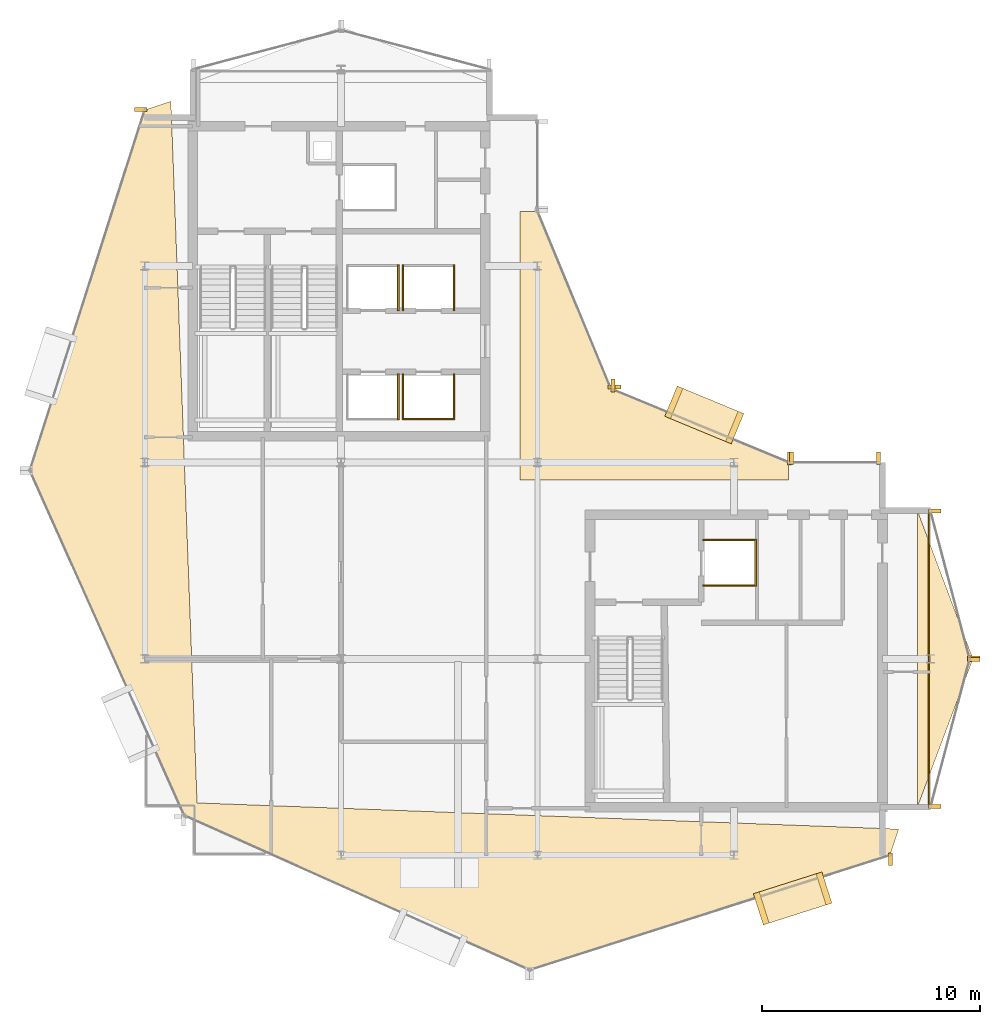
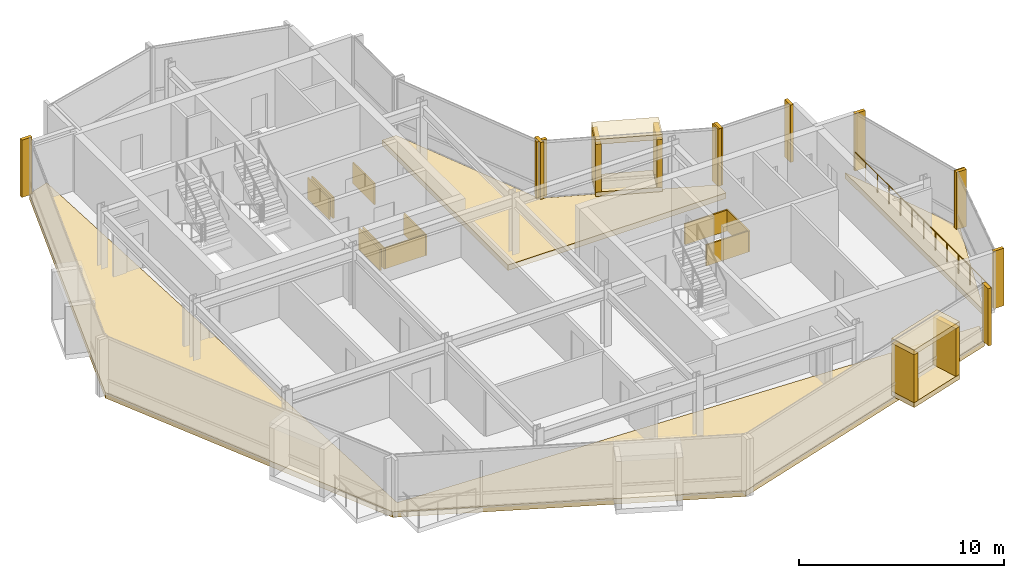
# One storey, part 18 of 19: 32 coverings, 1 railing.
"""IFC4 building model written with IfcOpenShell, lengths in metres."""

import ifcopenshell
import ifcopenshell.guid

model = None  # the IFC model being written
_history = None  # IfcOwnerHistory: only IFC2X3 demands one
_inside = {}  # id of a spatial element -> (the spatial element, [elements in it])
_under = {}  # id of a project, library or spatial element -> (it, [spatial elements below it])
_declared = {}  # id of a project -> (the project, [libraries it declares])
_typed = {}  # id of a type object -> (the type object, [elements of that type])
_made_of = {}  # id of a material, layer set ... -> (it, [elements and type objects made of it])


def new_model(schema):
    """Start an empty IFC model of exactly this schema.

    Asked for "IFC4X3", IfcOpenShell would pick the latest addendum, in which some entities
    have other attributes; the version numbers below select the first issue.
    IFC2X3 requires an IfcOwnerHistory on every rooted entity: one is made here for all.
    """
    global model, _history
    if schema == "IFC4X3":
        model = ifcopenshell.file(schema_version=(4, 3, 0, 0))
    else:
        model = ifcopenshell.file(schema=schema)
    _inside.clear()
    _under.clear()
    _declared.clear()
    _typed.clear()
    _made_of.clear()
    _history = None
    if model.schema == "IFC2X3":
        org = make("IfcOrganization", Name="unknown")
        user = make(
            "IfcPersonAndOrganization",
            ThePerson=make("IfcPerson", FamilyName="unknown"),
            TheOrganization=org,
        )
        app = make(
            "IfcApplication",
            ApplicationDeveloper=org,
            Version="unknown",
            ApplicationFullName="unknown",
            ApplicationIdentifier="unknown",
        )
        _history = make(
            "IfcOwnerHistory",
            OwningUser=user,
            OwningApplication=app,
            ChangeAction="ADDED",
            CreationDate=0,
        )
    return model


def make(cls, **values):
    """One entity of the class cls with the attributes given. An attribute that is None is left unset."""
    return model.create_entity(
        cls, **{name: value for name, value in values.items() if value is not None}
    )


def rooted(cls, **values):
    """An entity with a GlobalId (a new one), such as an element, a storey or a relation."""
    return make(cls, GlobalId=ifcopenshell.guid.new(), OwnerHistory=_history, **values)


def si_unit(unit_type, name, prefix=None):
    """IfcSIUnit, for example si_unit("LENGTHUNIT", "METRE", prefix="MILLI")."""
    return make("IfcSIUnit", UnitType=unit_type, Prefix=prefix, Name=name)


def assignment(units):
    """IfcUnitAssignment: the units of a project."""
    return None if units is None else make("IfcUnitAssignment", Units=units)


def point(xyz):
    """IfcCartesianPoint."""
    return None if xyz is None else make("IfcCartesianPoint", Coordinates=xyz)


def direction(xyz):
    """IfcDirection."""
    return None if xyz is None else make("IfcDirection", DirectionRatios=xyz)


def frame(location, z_axis=None, x_axis=None):
    """IfcAxis2Placement3D, a coordinate frame: its origin and axes. An axis left out is left unset."""
    return make(
        "IfcAxis2Placement3D",
        Location=point(location),
        Axis=direction(z_axis),
        RefDirection=direction(x_axis),
    )


def frame_2d(location, x_axis=None):
    """IfcAxis2Placement2D, a coordinate frame in the plane: its origin and x axis."""
    return make(
        "IfcAxis2Placement2D", Location=point(location), RefDirection=direction(x_axis)
    )


def origin():
    """The frame at (0, 0, 0) with its axes left unset."""
    return frame((0.0, 0.0, 0.0))


def origin_2d():
    """The frame at (0, 0) in the plane with its x axis left unset."""
    return frame_2d((0.0, 0.0))


def place(relative_to, where):
    """IfcLocalPlacement: puts the frame where relative to a parent placement (None: the world)."""
    return make(
        "IfcLocalPlacement", PlacementRelTo=relative_to, RelativePlacement=where
    )


def context(
    kind, dimensions, precision=None, world=None, true_north=None, identifier=None
):
    """IfcGeometricRepresentationContext, for example the 3D "Model" context."""
    return make(
        "IfcGeometricRepresentationContext",
        ContextIdentifier=identifier,
        ContextType=kind,
        CoordinateSpaceDimension=dimensions,
        Precision=precision,
        WorldCoordinateSystem=world,
        TrueNorth=true_north,
    )


def subcontext(parent, identifier, kind, view, scale=None):
    """IfcGeometricRepresentationSubContext, for example "Body" below "Model"."""
    return make(
        "IfcGeometricRepresentationSubContext",
        ContextIdentifier=identifier,
        ContextType=kind,
        ParentContext=parent,
        TargetScale=scale,
        TargetView=view,
    )


def project(units=None, contexts=None):
    """IfcProject with its units and contexts."""
    return rooted(
        "IfcProject",
        Name="project",
        RepresentationContexts=contexts,
        UnitsInContext=assignment(units),
    )


def spatial(cls, under=None, at=None, **own):
    """A site, building, storey or space (cls), placed at a placement, below another one or the project."""
    s = rooted(cls, ObjectPlacement=at, **own)
    if under is not None:
        _under.setdefault(under.id(), (under, []))[1].append(s)
    return s


def polyline(points):
    """IfcPolyline through the points."""
    return make("IfcPolyline", Points=[point(p) for p in points])


def profile(cls, at=None, kind="AREA", **sizes):
    """A parametric profile (cls). Its sizes go by their IFC names, for example OverallWidth=200.0."""
    return make(cls, ProfileType=kind, Position=at, **sizes)


def rectangle(**sizes):
    """IfcRectangleProfileDef."""
    return profile("IfcRectangleProfileDef", **sizes)


def circle(**sizes):
    """IfcCircleProfileDef."""
    return profile("IfcCircleProfileDef", **sizes)


def outline(outer, holes=None, kind="AREA"):
    """IfcArbitraryClosedProfileDef: a profile drawn as a closed curve; with holes, ...WithVoids."""
    if holes is None:
        return make("IfcArbitraryClosedProfileDef", ProfileType=kind, OuterCurve=outer)
    return make(
        "IfcArbitraryProfileDefWithVoids",
        ProfileType=kind,
        OuterCurve=outer,
        InnerCurves=holes,
    )


def extrude(swept, where, along, depth):
    """IfcExtrudedAreaSolid: the profile swept, set in the frame where, extruded along a direction by depth."""
    return make(
        "IfcExtrudedAreaSolid",
        SweptArea=swept,
        Position=where,
        ExtrudedDirection=direction(along),
        Depth=depth,
    )


def shape(context_of_items, identifier, shape_type, items):
    """IfcShapeRepresentation: the items that make up one representation, for example the "Body"."""
    return make(
        "IfcShapeRepresentation",
        ContextOfItems=context_of_items,
        RepresentationIdentifier=identifier,
        RepresentationType=shape_type,
        Items=items,
    )


def material(Name=None, Category=None):
    """IfcMaterial."""
    return make("IfcMaterial", Name=Name, Category=Category)


def layer(
    of_material, thickness, ventilated=None, Name=None, Category=None, Priority=None
):
    """IfcMaterialLayer: one layer of a wall or slab, of a material (None: an air gap)."""
    return make(
        "IfcMaterialLayer",
        Material=of_material,
        LayerThickness=thickness,
        IsVentilated=ventilated,
        Name=Name,
        Category=Category,
        Priority=Priority,
    )


def layer_set(layers, Name=None):
    """IfcMaterialLayerSet."""
    return make("IfcMaterialLayerSet", MaterialLayers=layers, LayerSetName=Name)


def made_of(thing, what):
    """Note that an element or type object is made of a material, layer set ...; save() writes the relation."""
    if what is not None:
        _made_of.setdefault(what.id(), (what, []))[1].append(thing)
    return thing


def type_object(cls, material=None, **own):
    """A type object (cls), such as IfcWallType, which elements share."""
    return made_of(rooted(cls, **own), material)


def element(
    cls,
    number,
    at=None,
    inside=None,
    cuts=None,
    type_object=None,
    material=None,
    context=None,
    identifier="Body",
    shape_type=None,
    held_by="IfcProductDefinitionShape",
    body=None,
    shapes=None,
    **own,
):
    """One element of the class cls, such as IfcWall. Its Tag is "e" and its number.

    at: its placement. inside: the storey or other place that contains it. cuts: it is an
    opening in that element (IfcRelVoidsElement). A single representation is given by context,
    identifier, shape_type and body (its items); several are given by shapes. held_by: the class
    of the entity that holds the representations. save() writes the other relations.
    """
    e = rooted(cls, Tag="e%d" % number, ObjectPlacement=at, **own)
    if body is not None:
        shapes = [shape(context, identifier, shape_type, body)]
    if shapes is not None:
        e.Representation = make(held_by, Representations=shapes)
    if inside is not None:
        _inside.setdefault(inside.id(), (inside, []))[1].append(e)
    if cuts is not None:
        rooted(
            "IfcRelVoidsElement", RelatingBuildingElement=cuts, RelatedOpeningElement=e
        )
    if type_object is not None:
        _typed.setdefault(type_object.id(), (type_object, []))[1].append(e)
    return made_of(e, material)


def aggregate(whole, parts):
    """IfcRelAggregates: a whole, such as a stair, and the parts it consists of."""
    return rooted("IfcRelAggregates", RelatingObject=whole, RelatedObjects=parts)


def save(model, path):
    """Write the relations noted so far, then the file.

    IfcRelAggregates (storeys below a building ...), IfcRelContainedInSpatialStructure (elements
    in a storey), IfcRelDefinesByType, IfcRelAssociatesMaterial and IfcRelDeclares: one each for
    every whole, place, type object, material and project.
    """
    for whole, parts in _under.values():
        aggregate(whole, parts)
    for where, things in _inside.values():
        rooted(
            "IfcRelContainedInSpatialStructure",
            RelatedElements=things,
            RelatingStructure=where,
        )
    for kind, things in _typed.values():
        rooted("IfcRelDefinesByType", RelatedObjects=things, RelatingType=kind)
    for what, things in _made_of.values():
        rooted("IfcRelAssociatesMaterial", RelatedObjects=things, RelatingMaterial=what)
    for by, libraries in _declared.values():
        rooted("IfcRelDeclares", RelatingContext=by, RelatedDefinitions=libraries)
    model.write(path)


model = new_model("IFC4")

# Units and contexts
model_context = context("Model", 3, precision=1e-05, world=origin(), true_north=direction((0.0, 1.0)))
body_context = subcontext(model_context, "Body", "Model", "MODEL_VIEW")
ifc_project = project(units=[si_unit("LENGTHUNIT", "METRE"), si_unit("AREAUNIT", "SQUARE_METRE"), si_unit("VOLUMEUNIT", "CUBIC_METRE"), si_unit("PLANEANGLEUNIT", "RADIAN"), si_unit("MASSUNIT", "GRAM", prefix="KILO")], contexts=[model_context])

# Site, building, storey
site_placement = place(None, origin())
site = spatial("IfcSite", under=ifc_project, at=site_placement, CompositionType="ELEMENT")
building_placement = place(site_placement, origin())
building = spatial("IfcBuilding", under=site, at=building_placement, Name="Solvaryn Broadcast Tower", CompositionType="ELEMENT")
storey_placement = place(building_placement, frame((0.0, 0.0, 251.89990234375)))
storey = spatial("IfcBuildingStorey", under=building, at=storey_placement, Name="L63", CompositionType="ELEMENT", Elevation=251.89990234375)

# Coverings
ifc_material_1 = material(Name="Fire-Rated Gypsum Shaftwall Liner", Category="concrete")
ifc_layer_1 = layer(ifc_material_1, 0.080078125)
ifc_layer_set_1 = layer_set([ifc_layer_1], Name="CV-SHAFT-LINER")
covering_type_1 = type_object("IfcCoveringType", Name="CV-SHAFT-LINER", PredefinedType="CLADDING", material=ifc_layer_set_1)
covering_1_placement = place(storey_placement, frame((20.614990234375, 30.0, 0.0), z_axis=(0.0, 0.0, 1.0), x_axis=(1.0, 0.0, 0.0)))
element("IfcCovering", 1, at=covering_1_placement, inside=storey, type_object=covering_type_1, Name="L63 PH1 Hoistway Shaft Liner East", PredefinedType="CLADDING", context=body_context, shape_type="SweptSolid", body=[
    extrude(rectangle(XDim=0.080078125, YDim=2.110107421875, at=origin_2d()), origin(), (0.0, 0.0, 1.0), 1.25),
])
covering_2_placement = place(storey_placement, frame((22.0, 28.985107421875, 0.0), z_axis=(0.0, 0.0, 1.0), x_axis=(1.0, 0.0, 0.0)))
element("IfcCovering", 2, at=covering_2_placement, inside=storey, type_object=covering_type_1, Name="L63 PH2 Hoistway Shaft Liner South", PredefinedType="CLADDING", context=body_context, shape_type="SweptSolid", body=[
    extrude(rectangle(XDim=2.409912109375, YDim=0.080078125, at=origin_2d()), origin(), (0.0, 0.0, 1.0), 1.25),
])
for number, where, z_axis, x_axis, name in (
    (3, (23.1650390625, 30.0, 0.0), (0.0, 0.0, 1.0), (1.0, 0.0, 0.0), "L63 PH2 Hoistway Shaft Liner East"),
    (4, (20.8349609375, 30.0, 0.0), (0.0, 0.0, 1.0), (1.0, 0.0, 0.0), "L63 PH2 Hoistway Shaft Liner West"),
    (5, (20.614990234375, 35.0, 0.0), (0.0, 0.0, 1.0), (1.0, 0.0, 0.0), "L63 PH3 Hoistway Shaft Liner East"),
    (6, (23.1650390625, 35.0, 0.0), (0.0, 0.0, 1.0), (1.0, 0.0, 0.0), "L63 PH4 Hoistway Shaft Liner East"),
    (7, (20.8349609375, 35.0, 0.0), (0.0, 0.0, 1.0), (1.0, 0.0, 0.0), "L63 PH4 Hoistway Shaft Liner West"),
):
    element("IfcCovering", number, at=place(storey_placement, frame(where, z_axis=z_axis, x_axis=x_axis)), inside=storey, type_object=covering_type_1, Name=name, PredefinedType="CLADDING", context=body_context, shape_type="SweptSolid", body=[
        extrude(rectangle(XDim=0.080078125, YDim=2.110107421875, at=origin_2d()), origin(), (0.0, 0.0, 1.0), 1.25),
    ])
for number, where, z_axis, x_axis, name in (
    (8, (35.800048828125, 23.43994140625, 0.0), (0.0, 0.0, 1.0), (1.0, 0.0, 0.0), "L63 FL2 Hoistway Shaft Liner North"),
    (9, (35.800048828125, 21.360107421875, 0.0), (0.0, 0.0, 1.0), (1.0, 0.0, 0.0), "L63 FL2 Hoistway Shaft Liner South"),
):
    element("IfcCovering", number, at=place(storey_placement, frame(where, z_axis=z_axis, x_axis=x_axis)), inside=storey, type_object=covering_type_1, Name=name, PredefinedType="CLADDING", context=body_context, shape_type="SweptSolid", body=[
        extrude(rectangle(XDim=2.4599609375, YDim=0.080078125, at=origin_2d()), origin(), (0.0, 0.0, 1.0), 1.25),
    ])
covering_3_placement = place(storey_placement, frame((36.989990234375, 22.39990234375, 0.0), z_axis=(0.0, 0.0, 1.0), x_axis=(1.0, 0.0, 0.0)))
element("IfcCovering", 10, at=covering_3_placement, inside=storey, type_object=covering_type_1, Name="L63 FL2 Hoistway Shaft Liner East", PredefinedType="CLADDING", context=body_context, shape_type="SweptSolid", body=[
    extrude(rectangle(XDim=0.080078125, YDim=2.159912109375, at=origin_2d()), origin(), (0.0, 0.0, 1.0), 1.25),
])
ifc_material_2 = material(Name="Glazed Architectural Terracotta Rainscreen Cladding", Category="masonry")
ifc_layer_2 = layer(ifc_material_2, 0.280029296875)
ifc_layer_set_2 = layer_set([ifc_layer_2], Name="CV-TC-CLAD")
covering_type_2 = type_object("IfcCoveringType", Name="CV-TC-CLAD", PredefinedType="CLADDING", material=ifc_layer_set_2)
for number, where, z_axis, x_axis, name in (
    (11, (38.68603515625, 7.02197265625, 3.1298828125), (0.0, 0.0, 1.0), (0.952820541996, 0.303534206887, 0.0), "L63 Projecting Stone Window Box Hood 4"),
    (12, (38.68603515625, 7.02197265625, -0.009765625), (0.0, 0.0, 1.0), (0.952820541996, 0.303534206887, 0.0), "L63 Projecting Stone Window Box Sill 4"),
):
    element("IfcCovering", number, at=place(storey_placement, frame(where, z_axis=z_axis, x_axis=x_axis)), inside=storey, type_object=covering_type_2, Name=name, PredefinedType="CLADDING", context=body_context, shape_type="SweptSolid", body=[
        extrude(rectangle(XDim=3.300048828125, YDim=1.5, at=origin_2d()), origin(), (0.0, 0.0, 1.0), 0.300048828125),
    ])
for number, where, z_axis, x_axis, name in (
    (13, (37.247314453125, 6.563720703125, 0.2802734375), (0.0, 0.0, 1.0), (0.952820541996, 0.303534206887, 0.0), "L63 Projecting Stone Window Box Cheek 4-1"),
    (14, (40.124755859375, 7.480224609375, 0.2802734375), (0.0, 0.0, 1.0), (0.952820541996, 0.303534206887, 0.0), "L63 Projecting Stone Window Box Cheek 4-2"),
):
    element("IfcCovering", number, at=place(storey_placement, frame(where, z_axis=z_axis, x_axis=x_axis)), inside=storey, type_object=covering_type_2, Name=name, PredefinedType="CLADDING", context=body_context, shape_type="SweptSolid", body=[
        extrude(rectangle(XDim=0.280029296875, YDim=1.5, at=origin_2d()), origin(), (0.0, 0.0, 1.0), 2.860107421875),
    ])
for number, where, z_axis, x_axis, name in (
    (15, (34.636962890625, 29.174072265625, 3.1298828125), (0.0, 0.0, 1.0), (-0.923879532511, 0.382683432365, 0.0), "L63 Projecting Stone Window Box Hood 5"),
    (16, (34.636962890625, 29.174072265625, -0.009765625), (0.0, 0.0, 1.0), (-0.923879532511, 0.382683432365, 0.0), "L63 Projecting Stone Window Box Sill 5"),
):
    element("IfcCovering", number, at=place(storey_placement, frame(where, z_axis=z_axis, x_axis=x_axis)), inside=storey, type_object=covering_type_2, Name=name, PredefinedType="CLADDING", context=body_context, shape_type="SweptSolid", body=[
        extrude(rectangle(XDim=3.300048828125, YDim=1.5, at=origin_2d()), origin(), (0.0, 0.0, 1.0), 0.300048828125),
    ])
for number, where, z_axis, x_axis, name in (
    (17, (36.031982421875, 28.59619140625, 0.2802734375), (0.0, 0.0, 1.0), (-0.923879532511, 0.382683432365, 0.0), "L63 Projecting Stone Window Box Cheek 5-1"),
    (18, (33.241943359375, 29.751953125, 0.2802734375), (0.0, 0.0, 1.0), (-0.923879532511, 0.382683432365, 0.0), "L63 Projecting Stone Window Box Cheek 5-2"),
):
    element("IfcCovering", number, at=place(storey_placement, frame(where, z_axis=z_axis, x_axis=x_axis)), inside=storey, type_object=covering_type_2, Name=name, PredefinedType="CLADDING", context=body_context, shape_type="SweptSolid", body=[
        extrude(rectangle(XDim=0.280029296875, YDim=1.5, at=origin_2d()), origin(), (0.0, 0.0, 1.0), 2.860107421875),
    ])
ifc_material_3 = material(Name="Extruded Architectural Terracotta Fin", Category="masonry")
ifc_layer_3 = layer(ifc_material_3, 0.179931640625)
ifc_layer_set_3 = layer_set([ifc_layer_3], Name="CV-TC-FIN")
covering_type_3 = type_object("IfcCoveringType", Name="CV-TC-FIN", PredefinedType="USERDEFINED", material=ifc_layer_set_3)
covering_4_placement = place(storey_placement, frame((8.819091796875, 43.17529296875, 0.000244140625), z_axis=(0.0, 0.0, 1.0), x_axis=(1.0, 0.0, 0.0)))
element("IfcCovering", 19, at=covering_4_placement, inside=storey, type_object=covering_type_3, Name="L63 Terracotta Vertical Fin FIN-L63-DR1-M00", ObjectType="FIN", PredefinedType="USERDEFINED", context=body_context, shape_type="SweptSolid", body=[
    extrude(rectangle(XDim=0.580078125, YDim=0.179931640625, at=origin_2d()), origin(), (0.0, 0.0, 1.0), 3.419921875),
])
for number, where, z_axis, x_axis, name in (
    (20, (43.17529296875, 8.819091796875, 0.000244140625), (0.0, 0.0, 1.0), (1.0, 0.0, 0.0), "L63 Terracotta Vertical Fin FIN-L63-DR4-M01"),
    (21, (38.541259765625, 27.177978515625, 0.000244140625), (0.0, 0.0, 1.0), (1.0, 0.0, 0.0), "L63 Terracotta Vertical Fin FIN-L63-CN1-M00"),
    (22, (30.464599609375, 30.52294921875, 0.000244140625), (0.0, 0.0, 1.0), (1.0, 0.0, 0.0), "L63 Terracotta Vertical Fin FIN-L63-CN1-M01"),
):
    element("IfcCovering", number, at=place(storey_placement, frame(where, z_axis=z_axis, x_axis=x_axis)), inside=storey, type_object=covering_type_3, Name=name, ObjectType="FIN", PredefinedType="USERDEFINED", context=body_context, shape_type="SweptSolid", body=[
        extrude(rectangle(XDim=0.179931640625, YDim=0.580078125, at=origin_2d()), origin(), (0.0, 0.0, 1.0), 3.419921875),
    ])
for number, where, z_axis, x_axis, name in (
    (23, (30.52294921875, 30.464599609375, 0.000244140625), (0.0, 0.0, 1.0), (1.0, 0.0, 0.0), "L63 Terracotta Vertical Fin FIN-L63-CN2-M00"),
    (24, (45.1953125, 24.77099609375, 0.000244140625), (0.0, 0.0, 1.0), (1.0, 0.0, 0.0), "L63 Terracotta Vertical Fin FIN-L63-ET1-M00"),
    (25, (46.979736328125, 18.029052734375, 0.000244140625), (0.0, 0.0, 1.0), (1.0, 0.0, 0.0), "L63 Terracotta Vertical Fin FIN-L63-ET1-M01"),
    (26, (46.979736328125, 17.970947265625, 0.000244140625), (0.0, 0.0, 1.0), (1.0, 0.0, 0.0), "L63 Terracotta Vertical Fin FIN-L63-ET2-M00"),
    (27, (45.1953125, 11.22900390625, 0.000244140625), (0.0, 0.0, 1.0), (1.0, 0.0, 0.0), "L63 Terracotta Vertical Fin FIN-L63-ET2-M01"),
):
    element("IfcCovering", number, at=place(storey_placement, frame(where, z_axis=z_axis, x_axis=x_axis)), inside=storey, type_object=covering_type_3, Name=name, ObjectType="FIN", PredefinedType="USERDEFINED", context=body_context, shape_type="SweptSolid", body=[
        extrude(rectangle(XDim=0.580078125, YDim=0.179931640625, at=origin_2d()), origin(), (0.0, 0.0, 1.0), 3.419921875),
    ])
for number, where, z_axis, x_axis, name in (
    (28, (38.6298828125, 27.1875, 0.000244140625), (0.0, 0.0, 1.0), (1.0, 0.0, 0.0), "L63 Terracotta Vertical Fin FIN-L63-IH-M00"),
    (29, (42.6201171875, 27.1875, 0.000244140625), (0.0, 0.0, 1.0), (1.0, 0.0, 0.0), "L63 Terracotta Vertical Fin FIN-L63-IH-M01"),
):
    element("IfcCovering", number, at=place(storey_placement, frame(where, z_axis=z_axis, x_axis=x_axis)), inside=storey, type_object=covering_type_3, Name=name, ObjectType="FIN", PredefinedType="USERDEFINED", context=body_context, shape_type="SweptSolid", body=[
        extrude(rectangle(XDim=0.179931640625, YDim=0.580078125, at=origin_2d()), origin(), (0.0, 0.0, 1.0), 3.419921875),
    ])
ifc_material_4 = material(Name="Sculpted Architectural Terracotta Wave Fascia", Category="masonry")
ifc_layer_4 = layer(ifc_material_4, 0.340087890625)
ifc_layer_set_4 = layer_set([ifc_layer_4], Name="CV-WAVE-TRAY")
covering_type_4 = type_object("IfcCoveringType", Name="CV-WAVE-TRAY", PredefinedType="CLADDING", material=ifc_layer_set_4)
covering_5_placement = place(storey_placement, frame((0.0, 0.0, -0.2998046875)))
element("IfcCovering", 30, at=covering_5_placement, inside=storey, type_object=covering_type_4, Name="L63 Stepped Cylindrical Drum Floor Apron", PredefinedType="CLADDING", context=body_context, shape_type="SweptSolid", body=[
    extrude(outline(polyline([(10.199951171875, 43.549072265625), (9.0, 43.14892578125), (3.738037109375, 26.635986328125), (10.81689453125, 10.81689453125), (26.635986328125, 3.738037109375), (43.14892578125, 9.0), (43.14892578125, 9.0), (43.549072265625, 10.199951171875), (11.39990234375, 11.39990234375), (10.199951171875, 43.549072265625)])), origin(), (0.0, 0.0, 1.0), 0.329833984375),
])
covering_6_placement = place(storey_placement, frame((0.0, 0.0, -0.2998046875)))
element("IfcCovering", 31, at=covering_6_placement, inside=storey, type_object=covering_type_4, Name="L63 Concave Canyon Floor Apron", PredefinedType="CLADDING", context=body_context, shape_type="SweptSolid", body=[
    extrude(outline(polyline([(26.199951171875, 26.199951171875), (38.5, 26.199951171875), (38.5, 27.0), (30.367919921875, 30.367919921875), (27.0, 38.5), (26.199951171875, 38.5), (26.199951171875, 26.199951171875)])), origin(), (0.0, 0.0, 1.0), 0.329833984375),
])
covering_7_placement = place(storey_placement, frame((0.0, 0.0, -0.2998046875)))
element("IfcCovering", 32, at=covering_7_placement, inside=storey, type_object=covering_type_4, Name="L63 East Curved Wing Deck", PredefinedType="CLADDING", context=body_context, shape_type="SweptSolid", body=[
    extrude(outline(polyline([(44.39990234375, 11.199951171875), (46.949951171875, 18.0), (44.39990234375, 24.800048828125), (44.39990234375, 11.199951171875)])), origin(), (0.0, 0.0, 1.0), 0.329833984375),
])

# Railing
ifc_material_5 = material(Name="Stainless Steel and Laminated Glass Guard", Category="steel")
railing_type = type_object("IfcRailingType", Name="RL-TER-1150", PredefinedType="BALUSTRADE", material=ifc_material_5)
railing_placement = place(storey_placement, frame((44.919921875, 11.199951171875, 0.0)))
element("IfcRailing", 33, at=railing_placement, inside=storey, type_object=railing_type, Name="L63 East Wing Spandrel Edge Guard", PredefinedType="BALUSTRADE", context=body_context, shape_type="SweptSolid", body=[
    extrude(circle(Radius=0.02392578125, at=origin_2d()), frame((0.0, 0.0, 1.1259765625), z_axis=(0.0, 1.0, 0.0), x_axis=(-1.0, 0.0, 0.0)), (0.0, 0.0, 1.0), 13.60009765625),
    extrude(circle(Radius=0.02099609375, at=origin_2d()), origin(), (0.0, 0.0, 1.0), 1.101806640625),
    extrude(circle(Radius=0.02099609375, at=origin_2d()), frame((0.0, 1.13330078125, 0.0)), (0.0, 0.0, 1.0), 1.101806640625),
    extrude(circle(Radius=0.02099609375, at=origin_2d()), frame((0.0, 2.2666015625, 0.0)), (0.0, 0.0, 1.0), 1.101806640625),
    extrude(circle(Radius=0.02099609375, at=origin_2d()), frame((0.0, 3.39990234375, 0.0)), (0.0, 0.0, 1.0), 1.101806640625),
    extrude(circle(Radius=0.02099609375, at=origin_2d()), frame((0.0, 4.533447265625, 0.0)), (0.0, 0.0, 1.0), 1.101806640625),
    extrude(circle(Radius=0.02099609375, at=origin_2d()), frame((0.0, 5.666748046875, 0.0)), (0.0, 0.0, 1.0), 1.101806640625),
    extrude(circle(Radius=0.02099609375, at=origin_2d()), frame((0.0, 6.800048828125, 0.0)), (0.0, 0.0, 1.0), 1.101806640625),
    extrude(circle(Radius=0.02099609375, at=origin_2d()), frame((0.0, 7.933349609375, 0.0)), (0.0, 0.0, 1.0), 1.101806640625),
    extrude(circle(Radius=0.02099609375, at=origin_2d()), frame((0.0, 9.066650390625, 0.0)), (0.0, 0.0, 1.0), 1.101806640625),
    extrude(circle(Radius=0.02099609375, at=origin_2d()), frame((0.0, 10.2001953125, 0.0)), (0.0, 0.0, 1.0), 1.101806640625),
    extrude(circle(Radius=0.02099609375, at=origin_2d()), frame((0.0, 11.33349609375, 0.0)), (0.0, 0.0, 1.0), 1.101806640625),
    extrude(circle(Radius=0.02099609375, at=origin_2d()), frame((0.0, 12.466796875, 0.0)), (0.0, 0.0, 1.0), 1.101806640625),
    extrude(circle(Radius=0.02099609375, at=origin_2d()), frame((0.0, 13.60009765625, 0.0)), (0.0, 0.0, 1.0), 1.101806640625),
])

save(model, "model.ifc")
